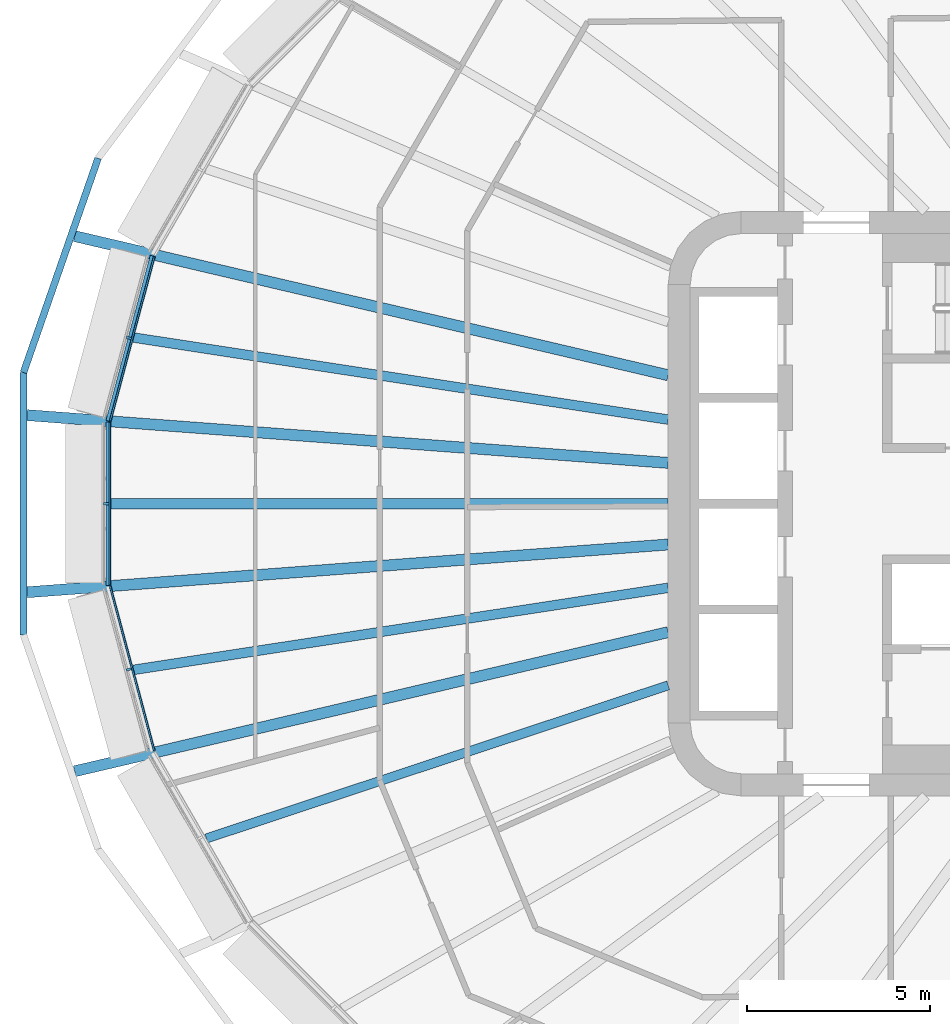
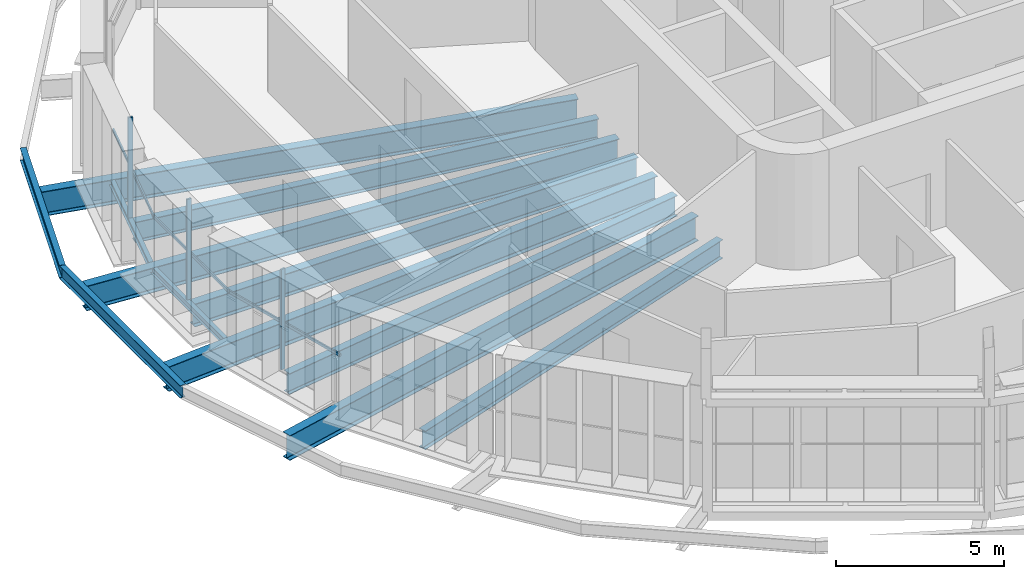
# One storey, part 3 of 23: 12 beams, 6 members, 3 elements without a shape of their own.
"""IFC4 building model written with IfcOpenShell, lengths in metres."""

from ifc_helpers import new_model, si_unit, direction, frame, origin, origin_2d, place, context, subcontext, project, spatial, rectangle, i_section, extrude, material, layer, layer_set, material_profile, profile_set, type_object, element, aggregate, save


model = new_model("IFC4")

# Units and contexts
model_context = context("Model", 3, precision=1e-05, world=origin(), true_north=direction((0.0, 1.0)))
body_context = subcontext(model_context, "Body", "Model", "MODEL_VIEW")
ifc_project = project(units=[si_unit("LENGTHUNIT", "METRE"), si_unit("AREAUNIT", "SQUARE_METRE"), si_unit("VOLUMEUNIT", "CUBIC_METRE"), si_unit("PLANEANGLEUNIT", "RADIAN"), si_unit("MASSUNIT", "GRAM", prefix="KILO")], contexts=[model_context])

# Site, building, storey
site_placement = place(None, origin())
site = spatial("IfcSite", under=ifc_project, at=site_placement, CompositionType="ELEMENT")
building_placement = place(site_placement, origin())
building = spatial("IfcBuilding", under=site, at=building_placement, Name="Sahrelin Media Tower", CompositionType="ELEMENT")
storey_placement = place(building_placement, frame((0.0, 0.0, 54.60009765625)))
storey = spatial("IfcBuildingStorey", under=building, at=storey_placement, Name="L08", CompositionType="ELEMENT", Elevation=54.60009765625)

# Beams
ifc_material_1 = material(Name="Steel S355", Category="steel")
ifc_material_profile_1 = material_profile(ifc_material_1, i_section(OverallWidth=0.14599609375, OverallDepth=0.25146484375, WebThickness=0.006103515625, FlangeThickness=0.008544921875, FilletRadius=0.007568359375, at=origin_2d()), Name="UB 254x146x31")
ifc_profile_set_1 = profile_set([ifc_material_profile_1], Name="Steel S355")
beam_type_1 = type_object("IfcBeamType", Name="Edge beam EB1", PredefinedType="BEAM", material=ifc_profile_set_1)
beam_1_placement = place(storey_placement, frame((-30.323974609375, -2.2353515625, -0.27587890625), z_axis=(0.0, 1.0, 0.0), x_axis=(-1.0, 0.0, 0.0)))
element("IfcBeam", 1, at=beam_1_placement, inside=storey, type_object=beam_type_1, Name="Edge beam L08-13", PredefinedType="BEAM", context=body_context, shape_type="SweptSolid", body=[
    extrude(i_section(OverallWidth=0.14599609375, OverallDepth=0.25146484375, WebThickness=0.006103515625, FlangeThickness=0.008544921875, FilletRadius=0.007568359375, at=origin_2d()), origin(), (0.0, 0.0, 1.0), 4.470703125),
])
beam_2_placement = place(storey_placement, frame((-30.3203125, 2.263916015625, -0.27587890625), z_axis=(0.258828228202, 0.965923365638, 0.0), x_axis=(-0.965923365638, 0.258828228202, 0.0)))
element("IfcBeam", 2, at=beam_2_placement, inside=storey, type_object=beam_type_1, Name="Edge beam L08-14", PredefinedType="BEAM", context=body_context, shape_type="SweptSolid", body=[
    extrude(i_section(OverallWidth=0.14599609375, OverallDepth=0.25146484375, WebThickness=0.006103515625, FlangeThickness=0.008544921875, FilletRadius=0.007568359375, at=origin_2d()), origin(), (0.0, 0.0, 1.0), 4.679443359375),
])

# Curtain wall, member
ifc_material_2 = material(Name="Champagne anodised aluminium 6063-T6", Category="aluminium")
ifc_layer = layer(ifc_material_2, 0.14990234375)
ifc_layer_set = layer_set([ifc_layer], Name="Tower ribbon curtain wall")
curtain_wall_type = type_object("IfcCurtainWallType", Name="Tower ribbon curtain wall", PredefinedType="NOTDEFINED", material=ifc_layer_set)
curtain_wall_1_placement = place(storey_placement, frame((-29.859619140625, 4.562744140625, 0.0), z_axis=(0.0, 0.0, 1.0), x_axis=(1.0, 0.0, 0.0)))
curtain_wall_1 = element("IfcCurtainWall", 3, at=curtain_wall_1_placement, inside=storey, type_object=curtain_wall_type, Name="L08:CW:L08-11", PredefinedType="NOTDEFINED")
ifc_material_profile_2 = material_profile(ifc_material_2, rectangle(XDim=0.06005859375, YDim=0.14990234375, at=origin_2d()), Name="Mullion 60x150")
ifc_profile_set_2 = profile_set([ifc_material_profile_2], Name="Champagne anodised aluminium 6063-T6")
member_type_1 = type_object("IfcMemberType", Name="Mullion 60x150 CW1", PredefinedType="MULLION", material=ifc_profile_set_2)
member_1_placement = place(storey_placement, frame((-29.767822265625, 4.5380859375, 0.0), z_axis=(0.0, 0.0, 1.0), x_axis=(-0.258825788531, -0.965924019368, 0.0)))
member_1 = element("IfcMember", 4, at=member_1_placement, type_object=member_type_1, Name="L08:CWM:L08-11", PredefinedType="MULLION", context=body_context, shape_type="SweptSolid", body=[
    extrude(rectangle(XDim=0.06005859375, YDim=0.14990234375, at=origin_2d()), origin(), (0.0, 0.0, 1.0), 3.6484375),
])

curtain_wall_2_placement = place(storey_placement, frame((-30.47412109375, 0.0, 0.0), z_axis=(0.0, 0.0, 1.0), x_axis=(1.0, 0.0, 0.0)))
curtain_wall_2 = element("IfcCurtainWall", 5, at=curtain_wall_2_placement, inside=storey, type_object=curtain_wall_type, Name="L08:CW:L08-12", PredefinedType="NOTDEFINED")
member_2_placement = place(storey_placement, frame((-30.37890625, 0.0, 0.0), z_axis=(0.0, 0.0, 1.0), x_axis=(0.0, -1.0, 0.0)))
member_2 = element("IfcMember", 6, at=member_2_placement, type_object=member_type_1, Name="L08:CWM:L08-12", PredefinedType="MULLION", context=body_context, shape_type="SweptSolid", body=[
    extrude(rectangle(XDim=0.06005859375, YDim=0.14990234375, at=origin_2d()), origin(), (0.0, 0.0, 1.0), 3.6484375),
])

curtain_wall_3_placement = place(storey_placement, frame((-29.859619140625, -4.562744140625, 0.0), z_axis=(0.0, 0.0, 1.0), x_axis=(1.0, 0.0, 0.0)))
curtain_wall_3 = element("IfcCurtainWall", 7, at=curtain_wall_3_placement, inside=storey, type_object=curtain_wall_type, Name="L08:CW:L08-13", PredefinedType="NOTDEFINED")
member_3_placement = place(storey_placement, frame((-29.767822265625, -4.5380859375, 0.0), z_axis=(0.0, 0.0, 1.0), x_axis=(0.258825788531, -0.965924019368, 0.0)))
member_3 = element("IfcMember", 8, at=member_3_placement, type_object=member_type_1, Name="L08:CWM:L08-13", PredefinedType="MULLION", context=body_context, shape_type="SweptSolid", body=[
    extrude(rectangle(XDim=0.06005859375, YDim=0.14990234375, at=origin_2d()), origin(), (0.0, 0.0, 1.0), 3.6484375),
])

# Beams
ifc_material_profile_3 = material_profile(ifc_material_1, i_section(OverallWidth=0.30322265625, OverallDepth=0.903076171875, WebThickness=0.01513671875, FlangeThickness=0.020263671875, FilletRadius=0.01904296875, at=origin_2d()), Name="UB 914x305x201")
ifc_profile_set_3 = profile_set([ifc_material_profile_3], Name="Steel S355")
beam_type_2 = type_object("IfcBeamType", Name="Radial primary beam PB11", PredefinedType="BEAM", material=ifc_profile_set_3)
beam_3_placement = place(storey_placement, frame((-15.0, 3.516357421875, -0.6015625), z_axis=(-0.973604476723, 0.22824180797, 0.0), x_axis=(-0.22824180797, -0.973604476723, 0.0)))
element("IfcBeam", 9, at=beam_3_placement, inside=storey, type_object=beam_type_2, Name="Radial beam L08-11", PredefinedType="BEAM", context=body_context, shape_type="SweptSolid", body=[
    extrude(i_section(OverallWidth=0.30322265625, OverallDepth=0.903076171875, WebThickness=0.01513671875, FlangeThickness=0.020263671875, FilletRadius=0.01904296875, at=origin_2d()), origin(), (0.0, 0.0, 1.0), 16.688720703125),
])
for number, where, z_axis, x_axis, name in (
    (10, (-15.0, 1.1171875, -0.6015625), (-0.997238272373, 0.074268621336, 0.0), (-0.074268621336, -0.997238272373, 0.0), "Radial beam L08-12"),
    (11, (-15.0, -1.1171875, -0.6015625), (-0.997238272373, -0.074268621336, 0.0), (0.074268621336, -0.997238272373, 0.0), "Radial beam L08-13"),
):
    element("IfcBeam", number, at=place(storey_placement, frame(where, z_axis=z_axis, x_axis=x_axis)), inside=storey, type_object=beam_type_2, Name=name, PredefinedType="BEAM", context=body_context, shape_type="SweptSolid", body=[
        extrude(i_section(OverallWidth=0.30322265625, OverallDepth=0.903076171875, WebThickness=0.01513671875, FlangeThickness=0.020263671875, FilletRadius=0.01904296875, at=origin_2d()), origin(), (0.0, 0.0, 1.0), 17.603271484375),
    ])
beam_4_placement = place(storey_placement, frame((-15.0, -3.516357421875, -0.6015625), z_axis=(-0.973604476723, -0.22824180797, 0.0), x_axis=(0.22824180797, -0.973604476723, 0.0)))
element("IfcBeam", 12, at=beam_4_placement, inside=storey, type_object=beam_type_2, Name="Radial beam L08-14", PredefinedType="BEAM", context=body_context, shape_type="SweptSolid", body=[
    extrude(i_section(OverallWidth=0.30322265625, OverallDepth=0.903076171875, WebThickness=0.01513671875, FlangeThickness=0.020263671875, FilletRadius=0.01904296875, at=origin_2d()), origin(), (0.0, 0.0, 1.0), 16.688720703125),
])
ifc_material_profile_4 = material_profile(ifc_material_1, i_section(OverallWidth=0.291748046875, OverallDepth=0.8349609375, WebThickness=0.013916015625, FlangeThickness=0.018798828125, FilletRadius=0.017822265625, at=origin_2d()), Name="UB 838x292x176")
ifc_profile_set_4 = profile_set([ifc_material_profile_4], Name="Steel S355")
beam_type_3 = type_object("IfcBeamType", Name="Radial secondary beam SB10", PredefinedType="BEAM", material=ifc_profile_set_4)
beam_5_placement = place(storey_placement, frame((-15.0, 0.0, -0.5673828125), z_axis=(-1.0, 0.0, 0.0), x_axis=(0.0, -1.0, 0.0)))
element("IfcBeam", 13, at=beam_5_placement, inside=storey, type_object=beam_type_3, Name="Secondary beam L08-12", PredefinedType="BEAM", context=body_context, shape_type="SweptSolid", body=[
    extrude(i_section(OverallWidth=0.291748046875, OverallDepth=0.8349609375, WebThickness=0.013916015625, FlangeThickness=0.018798828125, FilletRadius=0.017822265625, at=origin_2d()), origin(), (0.0, 0.0, 1.0), 15.2509765625),
])
ifc_material_profile_5 = material_profile(ifc_material_1, i_section(OverallWidth=0.2529296875, OverallDepth=0.677978515625, WebThickness=0.01171875, FlangeThickness=0.01611328125, FilletRadius=0.01513671875, at=origin_2d()), Name="UB 686x254x125")
ifc_profile_set_5 = profile_set([ifc_material_profile_5], Name="Steel S355")
beam_type_4 = type_object("IfcBeamType", Name="Radial secondary beam SB8", PredefinedType="BEAM", material=ifc_profile_set_5)
beam_6_placement = place(storey_placement, frame((-15.0, -4.973388671875, -0.489013671875), z_axis=(-0.949189781098, -0.314704241247, 0.0), x_axis=(0.314704241247, -0.949189781098, 0.0)))
element("IfcBeam", 14, at=beam_6_placement, inside=storey, type_object=beam_type_4, Name="Secondary beam L08-14", PredefinedType="BEAM", context=body_context, shape_type="SweptSolid", body=[
    extrude(i_section(OverallWidth=0.2529296875, OverallDepth=0.677978515625, WebThickness=0.01171875, FlangeThickness=0.01611328125, FilletRadius=0.01513671875, at=origin_2d()), origin(), (0.0, 0.0, 1.0), 13.320068359375),
])
ifc_material_profile_6 = material_profile(ifc_material_1, i_section(OverallWidth=0.26513671875, OverallDepth=0.75390625, WebThickness=0.0126953125, FlangeThickness=0.017578125, FilletRadius=0.0166015625, at=origin_2d()), Name="UB 762x267x147")
ifc_profile_set_6 = profile_set([ifc_material_profile_6], Name="Steel S355")
beam_type_5 = type_object("IfcBeamType", Name="Radial secondary beam SB9", PredefinedType="BEAM", material=ifc_profile_set_6)
for number, where, z_axis, x_axis, name in (
    (15, (-15.0, 2.302490234375, -0.527099609375), (-0.98842559069, 0.151706465484, 0.0), (-0.151706465484, -0.98842559069, 0.0), "Secondary beam L08-11"),
    (16, (-15.0, -2.302490234375, -0.527099609375), (-0.98842559069, -0.151706465484, 0.0), (0.151706465484, -0.98842559069, 0.0), "Secondary beam L08-13"),
):
    element("IfcBeam", number, at=place(storey_placement, frame(where, z_axis=z_axis, x_axis=x_axis)), inside=storey, type_object=beam_type_5, Name=name, PredefinedType="BEAM", context=body_context, shape_type="SweptSolid", body=[
        extrude(i_section(OverallWidth=0.26513671875, OverallDepth=0.75390625, WebThickness=0.0126953125, FlangeThickness=0.017578125, FilletRadius=0.0166015625, at=origin_2d()), origin(), (0.0, 0.0, 1.0), 14.803955078125),
    ])
ifc_material_profile_7 = material_profile(ifc_material_1, i_section(OverallWidth=0.1904296875, OverallDepth=0.45703125, WebThickness=0.009033203125, FlangeThickness=0.014404296875, FilletRadius=0.01025390625, at=origin_2d()), Name="UB 457x191x74")
ifc_profile_set_7 = profile_set([ifc_material_profile_7], Name="Steel S355")
beam_type_6 = type_object("IfcBeamType", Name="Tie chord TC5", PredefinedType="BEAM", material=ifc_profile_set_7)
beam_7_placement = place(storey_placement, frame((-30.607177734375, 9.456787109375, -0.378662109375), z_axis=(-0.328778181414, -0.944407172477, 0.0), x_axis=(0.944407172477, -0.328778181414, 0.0)))
element("IfcBeam", 17, at=beam_7_placement, inside=storey, type_object=beam_type_6, Name="Tie chord L08-11", PredefinedType="BEAM", context=body_context, shape_type="SweptSolid", body=[
    extrude(i_section(OverallWidth=0.1904296875, OverallDepth=0.45703125, WebThickness=0.009033203125, FlangeThickness=0.014404296875, FilletRadius=0.01025390625, at=origin_2d()), origin(), (0.0, 0.0, 1.0), 6.213134765625),
])
beam_8_placement = place(storey_placement, frame((-32.64990234375, 3.589111328125, -0.378662109375), z_axis=(0.0, -1.0, 0.0), x_axis=(1.0, 0.0, 0.0)))
element("IfcBeam", 18, at=beam_8_placement, inside=storey, type_object=beam_type_6, Name="Tie chord L08-12", PredefinedType="BEAM", context=body_context, shape_type="SweptSolid", body=[
    extrude(i_section(OverallWidth=0.1904296875, OverallDepth=0.45703125, WebThickness=0.009033203125, FlangeThickness=0.014404296875, FilletRadius=0.01025390625, at=origin_2d()), origin(), (0.0, 0.0, 1.0), 7.17822265625),
])

# Member
ifc_material_profile_8 = material_profile(ifc_material_2, rectangle(XDim=0.050048828125, YDim=0.10009765625, at=origin_2d()), Name="Transom 50x100")
ifc_profile_set_8 = profile_set([ifc_material_profile_8], Name="Champagne anodised aluminium 6063-T6")
member_type_2 = type_object("IfcMemberType", Name="Transom 50x100 CW1", PredefinedType="USERDEFINED", material=ifc_profile_set_8)
member_4_placement = place(storey_placement, frame((-29.069580078125, 6.757080078125, 1.599853515625), z_axis=(-0.258839350642, -0.965920385207, 0.0), x_axis=(0.965920385207, -0.258839350642, 0.0)))
member_4 = element("IfcMember", 19, at=member_4_placement, type_object=member_type_2, Name="L08:CWT:L08-11", ObjectType="TRANSOM", PredefinedType="USERDEFINED", context=body_context, shape_type="SweptSolid", body=[
    extrude(rectangle(XDim=0.050048828125, YDim=0.10009765625, at=origin_2d()), origin(), (0.0, 0.0, 1.0), 4.648193359375),
])

aggregate(curtain_wall_1, [member_1, member_4])

member_5_placement = place(storey_placement, frame((-30.279052734375, 2.219482421875, 1.599853515625), z_axis=(0.0, -1.0, 0.0), x_axis=(1.0, 0.0, 0.0)))
member_5 = element("IfcMember", 20, at=member_5_placement, type_object=member_type_2, Name="L08:CWT:L08-12", ObjectType="TRANSOM", PredefinedType="USERDEFINED", context=body_context, shape_type="SweptSolid", body=[
    extrude(rectangle(XDim=0.050048828125, YDim=0.10009765625, at=origin_2d()), origin(), (0.0, 0.0, 1.0), 4.43896484375),
])

aggregate(curtain_wall_2, [member_2, member_5])

member_6_placement = place(storey_placement, frame((-30.272705078125, -2.267333984375, 1.599853515625), z_axis=(0.258839350642, -0.965920385207, 0.0), x_axis=(0.965920385207, 0.258839350642, 0.0)))
member_6 = element("IfcMember", 21, at=member_6_placement, type_object=member_type_2, Name="L08:CWT:L08-13", ObjectType="TRANSOM", PredefinedType="USERDEFINED", context=body_context, shape_type="SweptSolid", body=[
    extrude(rectangle(XDim=0.050048828125, YDim=0.10009765625, at=origin_2d()), origin(), (0.0, 0.0, 1.0), 4.648193359375),
])

aggregate(curtain_wall_3, [member_3, member_6])

save(model, "model.ifc")
